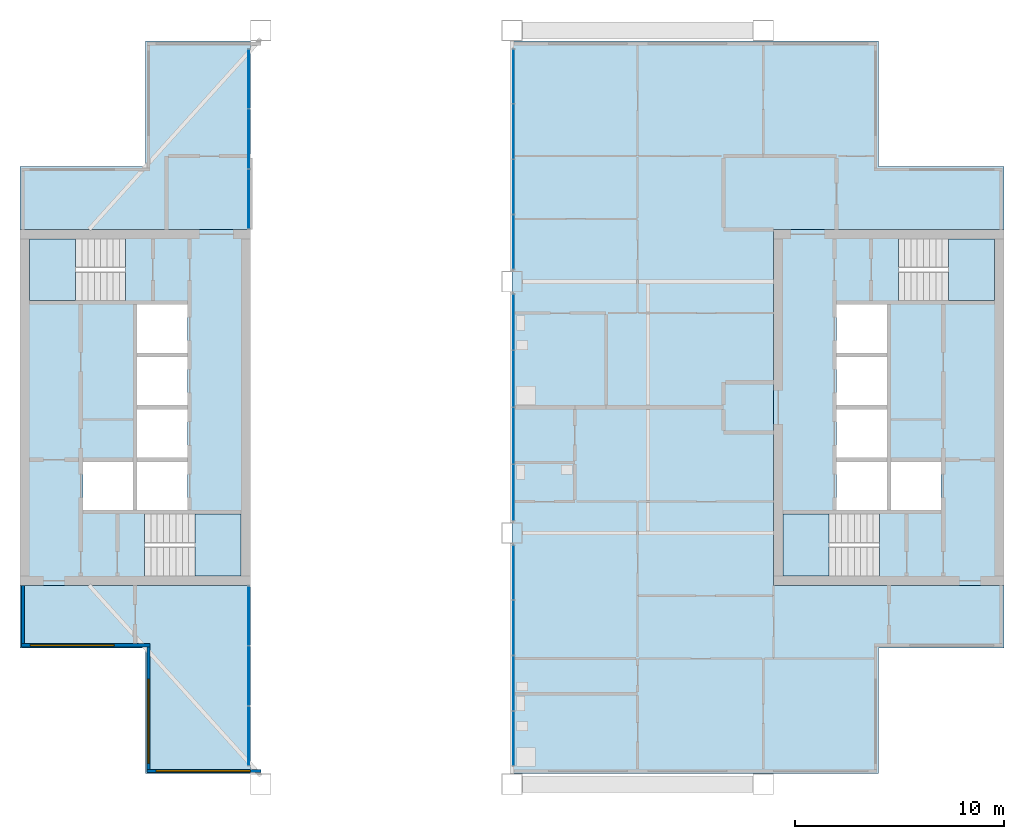
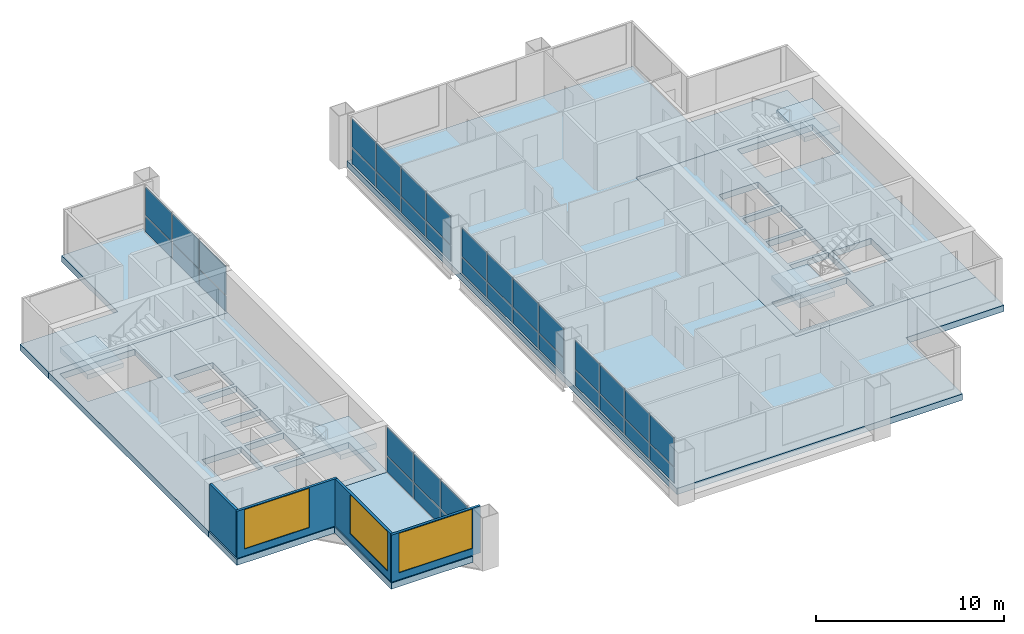
# One storey, part 6 of 12: 36 plates, 9 slabs, 4 walls, 3 windows, 3 openings, 9 elements without a shape of their own.
"""IFC4 building model written with IfcOpenShell, lengths in metres."""

import ifcopenshell
import ifcopenshell.guid

model = None  # the IFC model being written
_history = None  # IfcOwnerHistory: only IFC2X3 demands one
_inside = {}  # id of a spatial element -> (the spatial element, [elements in it])
_under = {}  # id of a project, library or spatial element -> (it, [spatial elements below it])
_declared = {}  # id of a project -> (the project, [libraries it declares])
_typed = {}  # id of a type object -> (the type object, [elements of that type])
_made_of = {}  # id of a material, layer set ... -> (it, [elements and type objects made of it])


def new_model(schema):
    """Start an empty IFC model of exactly this schema.

    Asked for "IFC4X3", IfcOpenShell would pick the latest addendum, in which some entities
    have other attributes; the version numbers below select the first issue.
    IFC2X3 requires an IfcOwnerHistory on every rooted entity: one is made here for all.
    """
    global model, _history
    if schema == "IFC4X3":
        model = ifcopenshell.file(schema_version=(4, 3, 0, 0))
    else:
        model = ifcopenshell.file(schema=schema)
    _inside.clear()
    _under.clear()
    _declared.clear()
    _typed.clear()
    _made_of.clear()
    _history = None
    if model.schema == "IFC2X3":
        org = make("IfcOrganization", Name="unknown")
        user = make(
            "IfcPersonAndOrganization",
            ThePerson=make("IfcPerson", FamilyName="unknown"),
            TheOrganization=org,
        )
        app = make(
            "IfcApplication",
            ApplicationDeveloper=org,
            Version="unknown",
            ApplicationFullName="unknown",
            ApplicationIdentifier="unknown",
        )
        _history = make(
            "IfcOwnerHistory",
            OwningUser=user,
            OwningApplication=app,
            ChangeAction="ADDED",
            CreationDate=0,
        )
    return model


def make(cls, **values):
    """One entity of the class cls with the attributes given. An attribute that is None is left unset."""
    return model.create_entity(
        cls, **{name: value for name, value in values.items() if value is not None}
    )


def rooted(cls, **values):
    """An entity with a GlobalId (a new one), such as an element, a storey or a relation."""
    return make(cls, GlobalId=ifcopenshell.guid.new(), OwnerHistory=_history, **values)


def si_unit(unit_type, name, prefix=None):
    """IfcSIUnit, for example si_unit("LENGTHUNIT", "METRE", prefix="MILLI")."""
    return make("IfcSIUnit", UnitType=unit_type, Prefix=prefix, Name=name)


def assignment(units):
    """IfcUnitAssignment: the units of a project."""
    return None if units is None else make("IfcUnitAssignment", Units=units)


def point(xyz):
    """IfcCartesianPoint."""
    return None if xyz is None else make("IfcCartesianPoint", Coordinates=xyz)


def direction(xyz):
    """IfcDirection."""
    return None if xyz is None else make("IfcDirection", DirectionRatios=xyz)


def frame(location, z_axis=None, x_axis=None):
    """IfcAxis2Placement3D, a coordinate frame: its origin and axes. An axis left out is left unset."""
    return make(
        "IfcAxis2Placement3D",
        Location=point(location),
        Axis=direction(z_axis),
        RefDirection=direction(x_axis),
    )


def frame_2d(location, x_axis=None):
    """IfcAxis2Placement2D, a coordinate frame in the plane: its origin and x axis."""
    return make(
        "IfcAxis2Placement2D", Location=point(location), RefDirection=direction(x_axis)
    )


def origin():
    """The frame at (0, 0, 0) with its axes left unset."""
    return frame((0.0, 0.0, 0.0))


def origin_2d():
    """The frame at (0, 0) in the plane with its x axis left unset."""
    return frame_2d((0.0, 0.0))


def place(relative_to, where):
    """IfcLocalPlacement: puts the frame where relative to a parent placement (None: the world)."""
    return make(
        "IfcLocalPlacement", PlacementRelTo=relative_to, RelativePlacement=where
    )


def context(
    kind, dimensions, precision=None, world=None, true_north=None, identifier=None
):
    """IfcGeometricRepresentationContext, for example the 3D "Model" context."""
    return make(
        "IfcGeometricRepresentationContext",
        ContextIdentifier=identifier,
        ContextType=kind,
        CoordinateSpaceDimension=dimensions,
        Precision=precision,
        WorldCoordinateSystem=world,
        TrueNorth=true_north,
    )


def subcontext(parent, identifier, kind, view, scale=None):
    """IfcGeometricRepresentationSubContext, for example "Body" below "Model"."""
    return make(
        "IfcGeometricRepresentationSubContext",
        ContextIdentifier=identifier,
        ContextType=kind,
        ParentContext=parent,
        TargetScale=scale,
        TargetView=view,
    )


def project(units=None, contexts=None):
    """IfcProject with its units and contexts."""
    return rooted(
        "IfcProject",
        Name="project",
        RepresentationContexts=contexts,
        UnitsInContext=assignment(units),
    )


def spatial(cls, under=None, at=None, **own):
    """A site, building, storey or space (cls), placed at a placement, below another one or the project."""
    s = rooted(cls, ObjectPlacement=at, **own)
    if under is not None:
        _under.setdefault(under.id(), (under, []))[1].append(s)
    return s


def polyline(points):
    """IfcPolyline through the points."""
    return make("IfcPolyline", Points=[point(p) for p in points])


def profile(cls, at=None, kind="AREA", **sizes):
    """A parametric profile (cls). Its sizes go by their IFC names, for example OverallWidth=200.0."""
    return make(cls, ProfileType=kind, Position=at, **sizes)


def rectangle(**sizes):
    """IfcRectangleProfileDef."""
    return profile("IfcRectangleProfileDef", **sizes)


def outline(outer, holes=None, kind="AREA"):
    """IfcArbitraryClosedProfileDef: a profile drawn as a closed curve; with holes, ...WithVoids."""
    if holes is None:
        return make("IfcArbitraryClosedProfileDef", ProfileType=kind, OuterCurve=outer)
    return make(
        "IfcArbitraryProfileDefWithVoids",
        ProfileType=kind,
        OuterCurve=outer,
        InnerCurves=holes,
    )


def extrude(swept, where, along, depth):
    """IfcExtrudedAreaSolid: the profile swept, set in the frame where, extruded along a direction by depth."""
    return make(
        "IfcExtrudedAreaSolid",
        SweptArea=swept,
        Position=where,
        ExtrudedDirection=direction(along),
        Depth=depth,
    )


def shape(context_of_items, identifier, shape_type, items):
    """IfcShapeRepresentation: the items that make up one representation, for example the "Body"."""
    return make(
        "IfcShapeRepresentation",
        ContextOfItems=context_of_items,
        RepresentationIdentifier=identifier,
        RepresentationType=shape_type,
        Items=items,
    )


def material(Name=None, Category=None):
    """IfcMaterial."""
    return make("IfcMaterial", Name=Name, Category=Category)


def layer(
    of_material, thickness, ventilated=None, Name=None, Category=None, Priority=None
):
    """IfcMaterialLayer: one layer of a wall or slab, of a material (None: an air gap)."""
    return make(
        "IfcMaterialLayer",
        Material=of_material,
        LayerThickness=thickness,
        IsVentilated=ventilated,
        Name=Name,
        Category=Category,
        Priority=Priority,
    )


def layer_set(layers, Name=None):
    """IfcMaterialLayerSet."""
    return make("IfcMaterialLayerSet", MaterialLayers=layers, LayerSetName=Name)


def made_of(thing, what):
    """Note that an element or type object is made of a material, layer set ...; save() writes the relation."""
    if what is not None:
        _made_of.setdefault(what.id(), (what, []))[1].append(thing)
    return thing


def type_object(cls, material=None, **own):
    """A type object (cls), such as IfcWallType, which elements share."""
    return made_of(rooted(cls, **own), material)


def element(
    cls,
    number,
    at=None,
    inside=None,
    cuts=None,
    type_object=None,
    material=None,
    context=None,
    identifier="Body",
    shape_type=None,
    held_by="IfcProductDefinitionShape",
    body=None,
    shapes=None,
    **own,
):
    """One element of the class cls, such as IfcWall. Its Tag is "e" and its number.

    at: its placement. inside: the storey or other place that contains it. cuts: it is an
    opening in that element (IfcRelVoidsElement). A single representation is given by context,
    identifier, shape_type and body (its items); several are given by shapes. held_by: the class
    of the entity that holds the representations. save() writes the other relations.
    """
    e = rooted(cls, Tag="e%d" % number, ObjectPlacement=at, **own)
    if body is not None:
        shapes = [shape(context, identifier, shape_type, body)]
    if shapes is not None:
        e.Representation = make(held_by, Representations=shapes)
    if inside is not None:
        _inside.setdefault(inside.id(), (inside, []))[1].append(e)
    if cuts is not None:
        rooted(
            "IfcRelVoidsElement", RelatingBuildingElement=cuts, RelatedOpeningElement=e
        )
    if type_object is not None:
        _typed.setdefault(type_object.id(), (type_object, []))[1].append(e)
    return made_of(e, material)


def fill(opening, filler):
    """IfcRelFillsElement: the door or window that sits in an opening."""
    return rooted(
        "IfcRelFillsElement",
        RelatingOpeningElement=opening,
        RelatedBuildingElement=filler,
    )


def aggregate(whole, parts):
    """IfcRelAggregates: a whole, such as a stair, and the parts it consists of."""
    return rooted("IfcRelAggregates", RelatingObject=whole, RelatedObjects=parts)


def save(model, path):
    """Write the relations noted so far, then the file.

    IfcRelAggregates (storeys below a building ...), IfcRelContainedInSpatialStructure (elements
    in a storey), IfcRelDefinesByType, IfcRelAssociatesMaterial and IfcRelDeclares: one each for
    every whole, place, type object, material and project.
    """
    for whole, parts in _under.values():
        aggregate(whole, parts)
    for where, things in _inside.values():
        rooted(
            "IfcRelContainedInSpatialStructure",
            RelatedElements=things,
            RelatingStructure=where,
        )
    for kind, things in _typed.values():
        rooted("IfcRelDefinesByType", RelatedObjects=things, RelatingType=kind)
    for what, things in _made_of.values():
        rooted("IfcRelAssociatesMaterial", RelatedObjects=things, RelatingMaterial=what)
    for by, libraries in _declared.values():
        rooted("IfcRelDeclares", RelatingContext=by, RelatedDefinitions=libraries)
    model.write(path)


model = new_model("IFC4")

# Units and contexts
model_context = context("Model", 3, precision=1e-05, world=origin(), true_north=direction((0.0, 1.0)))
body_context = subcontext(model_context, "Body", "Model", "MODEL_VIEW")
ifc_project = project(units=[si_unit("LENGTHUNIT", "METRE"), si_unit("AREAUNIT", "SQUARE_METRE"), si_unit("VOLUMEUNIT", "CUBIC_METRE"), si_unit("PLANEANGLEUNIT", "RADIAN"), si_unit("MASSUNIT", "GRAM", prefix="KILO")], contexts=[model_context])

# Site, building, storey
site_placement = place(None, origin())
site = spatial("IfcSite", under=ifc_project, at=site_placement, CompositionType="ELEMENT")
building_placement = place(site_placement, origin())
building = spatial("IfcBuilding", under=site, at=building_placement, Name="Kitamizu Gate Tower and Museum", CompositionType="ELEMENT")
storey_placement = place(building_placement, frame((0.0, 0.0, 255.89990234375)))
storey = spatial("IfcBuildingStorey", under=building, at=storey_placement, Name="L69", CompositionType="ELEMENT", Elevation=255.89990234375)

# Slabs
ifc_material_1 = material(Name="Concrete Fc36", Category="concrete")
ifc_layer_1 = layer(ifc_material_1, 0.39990234375)
ifc_layer_set_1 = layer_set([ifc_layer_1], Name="Concrete Fc36")
slab_type_1 = type_object("IfcSlabType", Name="Core floor slab 400", PredefinedType="FLOOR", material=ifc_layer_set_1)
slab_1_placement = place(storey_placement, frame((0.0, 0.0, -0.39990234375)))
element("IfcSlab", 1, at=slab_1_placement, inside=storey, type_object=slab_type_1, Name="Core floor slab W", PredefinedType="FLOOR", context=body_context, shape_type="SweptSolid", body=[
    extrude(outline(polyline([(12.5, 21.5), (23.5, 21.5), (23.5, 38.5), (12.5, 38.5), (12.5, 21.5)]), holes=[polyline([(15.5, 25.10009765625), (17.89990234375, 25.10009765625), (17.89990234375, 27.39990234375), (15.5, 27.39990234375), (15.5, 25.10009765625)]), polyline([(18.10009765625, 25.10009765625), (20.5, 25.10009765625), (20.5, 27.39990234375), (18.10009765625, 27.39990234375), (18.10009765625, 25.10009765625)]), polyline([(18.10009765625, 27.60009765625), (20.5, 27.60009765625), (20.5, 29.89990234375), (18.10009765625, 29.89990234375), (18.10009765625, 27.60009765625)]), polyline([(18.10009765625, 30.10009765625), (20.5, 30.10009765625), (20.5, 32.39990234375), (18.10009765625, 32.39990234375), (18.10009765625, 30.10009765625)]), polyline([(18.10009765625, 32.60009765625), (20.5, 32.60009765625), (20.5, 34.89990234375), (18.10009765625, 34.89990234375), (18.10009765625, 32.60009765625)]), polyline([(18.45068359375, 21.949951171875), (23.050048828125, 21.949951171875), (23.050048828125, 24.89990234375), (18.45068359375, 24.89990234375), (18.45068359375, 21.949951171875)]), polyline([(12.949951171875, 35.10009765625), (17.54931640625, 35.10009765625), (17.54931640625, 38.050048828125), (12.949951171875, 38.050048828125), (12.949951171875, 35.10009765625)])]), origin(), (0.0, 0.0, 1.0), 0.39990234375),
])
slab_2_placement = place(storey_placement, frame((0.0, 0.0, -0.39990234375)))
element("IfcSlab", 2, at=slab_2_placement, inside=storey, type_object=slab_type_1, Name="Core floor slab E", PredefinedType="FLOOR", context=body_context, shape_type="SweptSolid", body=[
    extrude(outline(polyline([(48.5, 21.5), (59.5, 21.5), (59.5, 38.5), (48.5, 38.5), (48.5, 21.5)]), holes=[polyline([(54.10009765625, 25.10009765625), (56.5, 25.10009765625), (56.5, 27.39990234375), (54.10009765625, 27.39990234375), (54.10009765625, 25.10009765625)]), polyline([(51.5, 25.10009765625), (53.89990234375, 25.10009765625), (53.89990234375, 27.39990234375), (51.5, 27.39990234375), (51.5, 25.10009765625)]), polyline([(51.5, 27.60009765625), (53.89990234375, 27.60009765625), (53.89990234375, 29.89990234375), (51.5, 29.89990234375), (51.5, 27.60009765625)]), polyline([(51.5, 30.10009765625), (53.89990234375, 30.10009765625), (53.89990234375, 32.39990234375), (51.5, 32.39990234375), (51.5, 30.10009765625)]), polyline([(51.5, 32.60009765625), (53.89990234375, 32.60009765625), (53.89990234375, 34.89990234375), (51.5, 34.89990234375), (51.5, 32.60009765625)]), polyline([(48.949951171875, 21.949951171875), (53.54931640625, 21.949951171875), (53.54931640625, 24.89990234375), (48.949951171875, 24.89990234375), (48.949951171875, 21.949951171875)]), polyline([(54.45068359375, 35.10009765625), (59.050048828125, 35.10009765625), (59.050048828125, 38.050048828125), (54.45068359375, 38.050048828125), (54.45068359375, 35.10009765625)])]), origin(), (0.0, 0.0, 1.0), 0.39990234375),
])

# Curtain wall, plates
ifc_material_2 = material(Name="Bronze anodised aluminium frame, tinted triple glazing", Category="aluminium")
curtain_wall_type = type_object("IfcCurtainWallType", Name="CURTAIN WALL TYPE C SKY AMENITY", PredefinedType="NOTDEFINED", material=ifc_material_2)
curtain_wall_1_placement = place(storey_placement, origin())
curtain_wall_1 = element("IfcCurtainWall", 3, at=curtain_wall_1_placement, inside=storey, type_object=curtain_wall_type, Name="Curtain wall CW-C portal W L69", PredefinedType="NOTDEFINED")
ifc_material_3 = material(Name="Tinted insulating glass", Category="glass")
ifc_layer_2 = layer(ifc_material_3, 0.031982421875)
ifc_layer_set_2 = layer_set([ifc_layer_2], Name="Tinted insulating glass")
plate_type = type_object("IfcPlateType", Name="GLASS PANEL 32 TYPE C", PredefinedType="CURTAIN_PANEL", material=ifc_layer_set_2)
plate_1_placement = place(storey_placement, frame((23.425048828125, 14.306640625, 0.06005859375), z_axis=(0.0, 0.0, 1.0), x_axis=(0.0, 1.0, 0.0)))
plate_1 = element("IfcPlate", 4, at=plate_1_placement, type_object=plate_type, Name="CW-C panel 1.1", PredefinedType="CURTAIN_PANEL", context=body_context, shape_type="SweptSolid", body=[
    extrude(rectangle(XDim=2.793212890625, YDim=0.031982421875, at=origin_2d()), origin(), (0.0, 0.0, 1.0), 1.010009765625),
])
plate_2_placement = place(storey_placement, frame((23.425048828125, 14.306640625, 1.1298828125), z_axis=(0.0, 0.0, 1.0), x_axis=(0.0, 1.0, 0.0)))
plate_2 = element("IfcPlate", 5, at=plate_2_placement, type_object=plate_type, Name="CW-C panel 1.2", PredefinedType="CURTAIN_PANEL", context=body_context, shape_type="SweptSolid", body=[
    extrude(rectangle(XDim=2.793212890625, YDim=0.031982421875, at=origin_2d()), origin(), (0.0, 0.0, 1.0), 1.860107421875),
])
plate_3_placement = place(storey_placement, frame((23.425048828125, 17.175048828125, 0.06005859375), z_axis=(0.0, 0.0, 1.0), x_axis=(0.0, 1.0, 0.0)))
plate_3 = element("IfcPlate", 6, at=plate_3_placement, type_object=plate_type, Name="CW-C panel 2.1", PredefinedType="CURTAIN_PANEL", context=body_context, shape_type="SweptSolid", body=[
    extrude(rectangle(XDim=2.8232421875, YDim=0.031982421875, at=origin_2d()), origin(), (0.0, 0.0, 1.0), 1.010009765625),
])
plate_4_placement = place(storey_placement, frame((23.425048828125, 17.175048828125, 1.1298828125), z_axis=(0.0, 0.0, 1.0), x_axis=(0.0, 1.0, 0.0)))
plate_4 = element("IfcPlate", 7, at=plate_4_placement, type_object=plate_type, Name="CW-C panel 2.2", PredefinedType="CURTAIN_PANEL", context=body_context, shape_type="SweptSolid", body=[
    extrude(rectangle(XDim=2.8232421875, YDim=0.031982421875, at=origin_2d()), origin(), (0.0, 0.0, 1.0), 1.860107421875),
])
plate_5_placement = place(storey_placement, frame((23.425048828125, 20.043212890625, 0.06005859375), z_axis=(0.0, 0.0, 1.0), x_axis=(0.0, 1.0, 0.0)))
plate_5 = element("IfcPlate", 8, at=plate_5_placement, type_object=plate_type, Name="CW-C panel 3.1", PredefinedType="CURTAIN_PANEL", context=body_context, shape_type="SweptSolid", body=[
    extrude(rectangle(XDim=2.793212890625, YDim=0.031982421875, at=origin_2d()), origin(), (0.0, 0.0, 1.0), 1.010009765625),
])
plate_6_placement = place(storey_placement, frame((23.425048828125, 20.043212890625, 1.1298828125), z_axis=(0.0, 0.0, 1.0), x_axis=(0.0, 1.0, 0.0)))
plate_6 = element("IfcPlate", 9, at=plate_6_placement, type_object=plate_type, Name="CW-C panel 3.2", PredefinedType="CURTAIN_PANEL", context=body_context, shape_type="SweptSolid", body=[
    extrude(rectangle(XDim=2.793212890625, YDim=0.031982421875, at=origin_2d()), origin(), (0.0, 0.0, 1.0), 1.860107421875),
])
aggregate(curtain_wall_1, [plate_1, plate_2, plate_3, plate_4, plate_5, plate_6])

curtain_wall_2_placement = place(storey_placement, origin())
curtain_wall_2 = element("IfcCurtainWall", 10, at=curtain_wall_2_placement, inside=storey, type_object=curtain_wall_type, Name="Curtain wall CW-C portal W L69", PredefinedType="NOTDEFINED")
plate_7_placement = place(storey_placement, frame((23.425048828125, 39.956787109375, 0.06005859375), z_axis=(0.0, 0.0, 1.0), x_axis=(0.0, 1.0, 0.0)))
plate_7 = element("IfcPlate", 11, at=plate_7_placement, type_object=plate_type, Name="CW-C panel 1.1", PredefinedType="CURTAIN_PANEL", context=body_context, shape_type="SweptSolid", body=[
    extrude(rectangle(XDim=2.793212890625, YDim=0.031982421875, at=origin_2d()), origin(), (0.0, 0.0, 1.0), 1.010009765625),
])
plate_8_placement = place(storey_placement, frame((23.425048828125, 39.956787109375, 1.1298828125), z_axis=(0.0, 0.0, 1.0), x_axis=(0.0, 1.0, 0.0)))
plate_8 = element("IfcPlate", 12, at=plate_8_placement, type_object=plate_type, Name="CW-C panel 1.2", PredefinedType="CURTAIN_PANEL", context=body_context, shape_type="SweptSolid", body=[
    extrude(rectangle(XDim=2.793212890625, YDim=0.031982421875, at=origin_2d()), origin(), (0.0, 0.0, 1.0), 1.860107421875),
])
plate_9_placement = place(storey_placement, frame((23.425048828125, 42.824951171875, 0.06005859375), z_axis=(0.0, 0.0, 1.0), x_axis=(0.0, 1.0, 0.0)))
plate_9 = element("IfcPlate", 13, at=plate_9_placement, type_object=plate_type, Name="CW-C panel 2.1", PredefinedType="CURTAIN_PANEL", context=body_context, shape_type="SweptSolid", body=[
    extrude(rectangle(XDim=2.8232421875, YDim=0.031982421875, at=origin_2d()), origin(), (0.0, 0.0, 1.0), 1.010009765625),
])
plate_10_placement = place(storey_placement, frame((23.425048828125, 42.824951171875, 1.1298828125), z_axis=(0.0, 0.0, 1.0), x_axis=(0.0, 1.0, 0.0)))
plate_10 = element("IfcPlate", 14, at=plate_10_placement, type_object=plate_type, Name="CW-C panel 2.2", PredefinedType="CURTAIN_PANEL", context=body_context, shape_type="SweptSolid", body=[
    extrude(rectangle(XDim=2.8232421875, YDim=0.031982421875, at=origin_2d()), origin(), (0.0, 0.0, 1.0), 1.860107421875),
])
plate_11_placement = place(storey_placement, frame((23.425048828125, 45.693359375, 0.06005859375), z_axis=(0.0, 0.0, 1.0), x_axis=(0.0, 1.0, 0.0)))
plate_11 = element("IfcPlate", 15, at=plate_11_placement, type_object=plate_type, Name="CW-C panel 3.1", PredefinedType="CURTAIN_PANEL", context=body_context, shape_type="SweptSolid", body=[
    extrude(rectangle(XDim=2.793212890625, YDim=0.031982421875, at=origin_2d()), origin(), (0.0, 0.0, 1.0), 1.010009765625),
])
plate_12_placement = place(storey_placement, frame((23.425048828125, 45.693359375, 1.1298828125), z_axis=(0.0, 0.0, 1.0), x_axis=(0.0, 1.0, 0.0)))
plate_12 = element("IfcPlate", 16, at=plate_12_placement, type_object=plate_type, Name="CW-C panel 3.2", PredefinedType="CURTAIN_PANEL", context=body_context, shape_type="SweptSolid", body=[
    extrude(rectangle(XDim=2.793212890625, YDim=0.031982421875, at=origin_2d()), origin(), (0.0, 0.0, 1.0), 1.860107421875),
])
aggregate(curtain_wall_2, [plate_7, plate_8, plate_9, plate_10, plate_11, plate_12])

curtain_wall_3_placement = place(storey_placement, origin())
curtain_wall_3 = element("IfcCurtainWall", 17, at=curtain_wall_3_placement, inside=storey, type_object=curtain_wall_type, Name="Curtain wall CW-C portal E L69", PredefinedType="NOTDEFINED")
plate_13_placement = place(storey_placement, frame((36.074951171875, 14.189453125, 0.06005859375), z_axis=(0.0, 0.0, 1.0), x_axis=(0.0, 1.0, 0.0)))
plate_13 = element("IfcPlate", 18, at=plate_13_placement, type_object=plate_type, Name="CW-C panel 1.1", PredefinedType="CURTAIN_PANEL", context=body_context, shape_type="SweptSolid", body=[
    extrude(rectangle(XDim=2.558837890625, YDim=0.031982421875, at=origin_2d()), origin(), (0.0, 0.0, 1.0), 1.010009765625),
])
plate_14_placement = place(storey_placement, frame((36.074951171875, 14.189453125, 1.1298828125), z_axis=(0.0, 0.0, 1.0), x_axis=(0.0, 1.0, 0.0)))
plate_14 = element("IfcPlate", 19, at=plate_14_placement, type_object=plate_type, Name="CW-C panel 1.2", PredefinedType="CURTAIN_PANEL", context=body_context, shape_type="SweptSolid", body=[
    extrude(rectangle(XDim=2.558837890625, YDim=0.031982421875, at=origin_2d()), origin(), (0.0, 0.0, 1.0), 1.860107421875),
])
plate_15_placement = place(storey_placement, frame((36.074951171875, 16.8232421875, 0.06005859375), z_axis=(0.0, 0.0, 1.0), x_axis=(0.0, 1.0, 0.0)))
plate_15 = element("IfcPlate", 20, at=plate_15_placement, type_object=plate_type, Name="CW-C panel 2.1", PredefinedType="CURTAIN_PANEL", context=body_context, shape_type="SweptSolid", body=[
    extrude(rectangle(XDim=2.5888671875, YDim=0.031982421875, at=origin_2d()), origin(), (0.0, 0.0, 1.0), 1.010009765625),
])
plate_16_placement = place(storey_placement, frame((36.074951171875, 16.8232421875, 1.1298828125), z_axis=(0.0, 0.0, 1.0), x_axis=(0.0, 1.0, 0.0)))
plate_16 = element("IfcPlate", 21, at=plate_16_placement, type_object=plate_type, Name="CW-C panel 2.2", PredefinedType="CURTAIN_PANEL", context=body_context, shape_type="SweptSolid", body=[
    extrude(rectangle(XDim=2.5888671875, YDim=0.031982421875, at=origin_2d()), origin(), (0.0, 0.0, 1.0), 1.860107421875),
])
plate_17_placement = place(storey_placement, frame((36.074951171875, 19.471923828125, 0.06005859375), z_axis=(0.0, 0.0, 1.0), x_axis=(0.0, 1.0, 0.0)))
plate_17 = element("IfcPlate", 22, at=plate_17_placement, type_object=plate_type, Name="CW-C panel 3.1", PredefinedType="CURTAIN_PANEL", context=body_context, shape_type="SweptSolid", body=[
    extrude(rectangle(XDim=2.5888671875, YDim=0.031982421875, at=origin_2d()), origin(), (0.0, 0.0, 1.0), 1.010009765625),
])
plate_18_placement = place(storey_placement, frame((36.074951171875, 19.471923828125, 1.1298828125), z_axis=(0.0, 0.0, 1.0), x_axis=(0.0, 1.0, 0.0)))
plate_18 = element("IfcPlate", 23, at=plate_18_placement, type_object=plate_type, Name="CW-C panel 3.2", PredefinedType="CURTAIN_PANEL", context=body_context, shape_type="SweptSolid", body=[
    extrude(rectangle(XDim=2.5888671875, YDim=0.031982421875, at=origin_2d()), origin(), (0.0, 0.0, 1.0), 1.860107421875),
])
plate_19_placement = place(storey_placement, frame((36.074951171875, 22.105712890625, 0.06005859375), z_axis=(0.0, 0.0, 1.0), x_axis=(0.0, 1.0, 0.0)))
plate_19 = element("IfcPlate", 24, at=plate_19_placement, type_object=plate_type, Name="CW-C panel 4.1", PredefinedType="CURTAIN_PANEL", context=body_context, shape_type="SweptSolid", body=[
    extrude(rectangle(XDim=2.558837890625, YDim=0.031982421875, at=origin_2d()), origin(), (0.0, 0.0, 1.0), 1.010009765625),
])
plate_20_placement = place(storey_placement, frame((36.074951171875, 22.105712890625, 1.1298828125), z_axis=(0.0, 0.0, 1.0), x_axis=(0.0, 1.0, 0.0)))
plate_20 = element("IfcPlate", 25, at=plate_20_placement, type_object=plate_type, Name="CW-C panel 4.2", PredefinedType="CURTAIN_PANEL", context=body_context, shape_type="SweptSolid", body=[
    extrude(rectangle(XDim=2.558837890625, YDim=0.031982421875, at=origin_2d()), origin(), (0.0, 0.0, 1.0), 1.860107421875),
])
aggregate(curtain_wall_3, [plate_13, plate_14, plate_15, plate_16, plate_17, plate_18, plate_19, plate_20])

curtain_wall_4_placement = place(storey_placement, origin())
curtain_wall_4 = element("IfcCurtainWall", 26, at=curtain_wall_4_placement, inside=storey, type_object=curtain_wall_type, Name="Curtain wall CW-C portal E L69", PredefinedType="NOTDEFINED")
plate_21_placement = place(storey_placement, frame((36.074951171875, 25.93115234375, 0.06005859375), z_axis=(0.0, 0.0, 1.0), x_axis=(0.0, 1.0, 0.0)))
plate_21 = element("IfcPlate", 27, at=plate_21_placement, type_object=plate_type, Name="CW-C panel 1.1", PredefinedType="CURTAIN_PANEL", context=body_context, shape_type="SweptSolid", body=[
    extrude(rectangle(XDim=2.632568359375, YDim=0.031982421875, at=origin_2d()), origin(), (0.0, 0.0, 1.0), 1.010009765625),
])
plate_22_placement = place(storey_placement, frame((36.074951171875, 25.93115234375, 1.1298828125), z_axis=(0.0, 0.0, 1.0), x_axis=(0.0, 1.0, 0.0)))
plate_22 = element("IfcPlate", 28, at=plate_22_placement, type_object=plate_type, Name="CW-C panel 1.2", PredefinedType="CURTAIN_PANEL", context=body_context, shape_type="SweptSolid", body=[
    extrude(rectangle(XDim=2.632568359375, YDim=0.031982421875, at=origin_2d()), origin(), (0.0, 0.0, 1.0), 1.860107421875),
])
plate_23_placement = place(storey_placement, frame((36.074951171875, 28.638671875, 0.06005859375), z_axis=(0.0, 0.0, 1.0), x_axis=(0.0, 1.0, 0.0)))
plate_23 = element("IfcPlate", 29, at=plate_23_placement, type_object=plate_type, Name="CW-C panel 2.1", PredefinedType="CURTAIN_PANEL", context=body_context, shape_type="SweptSolid", body=[
    extrude(rectangle(XDim=2.66259765625, YDim=0.031982421875, at=origin_2d()), origin(), (0.0, 0.0, 1.0), 1.010009765625),
])
plate_24_placement = place(storey_placement, frame((36.074951171875, 28.638671875, 1.1298828125), z_axis=(0.0, 0.0, 1.0), x_axis=(0.0, 1.0, 0.0)))
plate_24 = element("IfcPlate", 30, at=plate_24_placement, type_object=plate_type, Name="CW-C panel 2.2", PredefinedType="CURTAIN_PANEL", context=body_context, shape_type="SweptSolid", body=[
    extrude(rectangle(XDim=2.66259765625, YDim=0.031982421875, at=origin_2d()), origin(), (0.0, 0.0, 1.0), 1.860107421875),
])
plate_25_placement = place(storey_placement, frame((36.074951171875, 31.361328125, 0.06005859375), z_axis=(0.0, 0.0, 1.0), x_axis=(0.0, 1.0, 0.0)))
plate_25 = element("IfcPlate", 31, at=plate_25_placement, type_object=plate_type, Name="CW-C panel 3.1", PredefinedType="CURTAIN_PANEL", context=body_context, shape_type="SweptSolid", body=[
    extrude(rectangle(XDim=2.66259765625, YDim=0.031982421875, at=origin_2d()), origin(), (0.0, 0.0, 1.0), 1.010009765625),
])
plate_26_placement = place(storey_placement, frame((36.074951171875, 31.361328125, 1.1298828125), z_axis=(0.0, 0.0, 1.0), x_axis=(0.0, 1.0, 0.0)))
plate_26 = element("IfcPlate", 32, at=plate_26_placement, type_object=plate_type, Name="CW-C panel 3.2", PredefinedType="CURTAIN_PANEL", context=body_context, shape_type="SweptSolid", body=[
    extrude(rectangle(XDim=2.66259765625, YDim=0.031982421875, at=origin_2d()), origin(), (0.0, 0.0, 1.0), 1.860107421875),
])
plate_27_placement = place(storey_placement, frame((36.074951171875, 34.06884765625, 0.06005859375), z_axis=(0.0, 0.0, 1.0), x_axis=(0.0, 1.0, 0.0)))
plate_27 = element("IfcPlate", 33, at=plate_27_placement, type_object=plate_type, Name="CW-C panel 4.1", PredefinedType="CURTAIN_PANEL", context=body_context, shape_type="SweptSolid", body=[
    extrude(rectangle(XDim=2.632568359375, YDim=0.031982421875, at=origin_2d()), origin(), (0.0, 0.0, 1.0), 1.010009765625),
])
plate_28_placement = place(storey_placement, frame((36.074951171875, 34.06884765625, 1.1298828125), z_axis=(0.0, 0.0, 1.0), x_axis=(0.0, 1.0, 0.0)))
plate_28 = element("IfcPlate", 34, at=plate_28_placement, type_object=plate_type, Name="CW-C panel 4.2", PredefinedType="CURTAIN_PANEL", context=body_context, shape_type="SweptSolid", body=[
    extrude(rectangle(XDim=2.632568359375, YDim=0.031982421875, at=origin_2d()), origin(), (0.0, 0.0, 1.0), 1.860107421875),
])
aggregate(curtain_wall_4, [plate_21, plate_22, plate_23, plate_24, plate_25, plate_26, plate_27, plate_28])

curtain_wall_5_placement = place(storey_placement, origin())
curtain_wall_5 = element("IfcCurtainWall", 35, at=curtain_wall_5_placement, inside=storey, type_object=curtain_wall_type, Name="Curtain wall CW-C portal E L69", PredefinedType="NOTDEFINED")
plate_29_placement = place(storey_placement, frame((36.074951171875, 37.894287109375, 0.06005859375), z_axis=(0.0, 0.0, 1.0), x_axis=(0.0, 1.0, 0.0)))
plate_29 = element("IfcPlate", 36, at=plate_29_placement, type_object=plate_type, Name="CW-C panel 1.1", PredefinedType="CURTAIN_PANEL", context=body_context, shape_type="SweptSolid", body=[
    extrude(rectangle(XDim=2.558837890625, YDim=0.031982421875, at=origin_2d()), origin(), (0.0, 0.0, 1.0), 1.010009765625),
])
plate_30_placement = place(storey_placement, frame((36.074951171875, 37.894287109375, 1.1298828125), z_axis=(0.0, 0.0, 1.0), x_axis=(0.0, 1.0, 0.0)))
plate_30 = element("IfcPlate", 37, at=plate_30_placement, type_object=plate_type, Name="CW-C panel 1.2", PredefinedType="CURTAIN_PANEL", context=body_context, shape_type="SweptSolid", body=[
    extrude(rectangle(XDim=2.558837890625, YDim=0.031982421875, at=origin_2d()), origin(), (0.0, 0.0, 1.0), 1.860107421875),
])
plate_31_placement = place(storey_placement, frame((36.074951171875, 40.528076171875, 0.06005859375), z_axis=(0.0, 0.0, 1.0), x_axis=(0.0, 1.0, 0.0)))
plate_31 = element("IfcPlate", 38, at=plate_31_placement, type_object=plate_type, Name="CW-C panel 2.1", PredefinedType="CURTAIN_PANEL", context=body_context, shape_type="SweptSolid", body=[
    extrude(rectangle(XDim=2.5888671875, YDim=0.031982421875, at=origin_2d()), origin(), (0.0, 0.0, 1.0), 1.010009765625),
])
plate_32_placement = place(storey_placement, frame((36.074951171875, 40.528076171875, 1.1298828125), z_axis=(0.0, 0.0, 1.0), x_axis=(0.0, 1.0, 0.0)))
plate_32 = element("IfcPlate", 39, at=plate_32_placement, type_object=plate_type, Name="CW-C panel 2.2", PredefinedType="CURTAIN_PANEL", context=body_context, shape_type="SweptSolid", body=[
    extrude(rectangle(XDim=2.5888671875, YDim=0.031982421875, at=origin_2d()), origin(), (0.0, 0.0, 1.0), 1.860107421875),
])
plate_33_placement = place(storey_placement, frame((36.074951171875, 43.1767578125, 0.06005859375), z_axis=(0.0, 0.0, 1.0), x_axis=(0.0, 1.0, 0.0)))
plate_33 = element("IfcPlate", 40, at=plate_33_placement, type_object=plate_type, Name="CW-C panel 3.1", PredefinedType="CURTAIN_PANEL", context=body_context, shape_type="SweptSolid", body=[
    extrude(rectangle(XDim=2.5888671875, YDim=0.031982421875, at=origin_2d()), origin(), (0.0, 0.0, 1.0), 1.010009765625),
])
plate_34_placement = place(storey_placement, frame((36.074951171875, 43.1767578125, 1.1298828125), z_axis=(0.0, 0.0, 1.0), x_axis=(0.0, 1.0, 0.0)))
plate_34 = element("IfcPlate", 41, at=plate_34_placement, type_object=plate_type, Name="CW-C panel 3.2", PredefinedType="CURTAIN_PANEL", context=body_context, shape_type="SweptSolid", body=[
    extrude(rectangle(XDim=2.5888671875, YDim=0.031982421875, at=origin_2d()), origin(), (0.0, 0.0, 1.0), 1.860107421875),
])
plate_35_placement = place(storey_placement, frame((36.074951171875, 45.810546875, 0.06005859375), z_axis=(0.0, 0.0, 1.0), x_axis=(0.0, 1.0, 0.0)))
plate_35 = element("IfcPlate", 42, at=plate_35_placement, type_object=plate_type, Name="CW-C panel 4.1", PredefinedType="CURTAIN_PANEL", context=body_context, shape_type="SweptSolid", body=[
    extrude(rectangle(XDim=2.558837890625, YDim=0.031982421875, at=origin_2d()), origin(), (0.0, 0.0, 1.0), 1.010009765625),
])
plate_36_placement = place(storey_placement, frame((36.074951171875, 45.810546875, 1.1298828125), z_axis=(0.0, 0.0, 1.0), x_axis=(0.0, 1.0, 0.0)))
plate_36 = element("IfcPlate", 43, at=plate_36_placement, type_object=plate_type, Name="CW-C panel 4.2", PredefinedType="CURTAIN_PANEL", context=body_context, shape_type="SweptSolid", body=[
    extrude(rectangle(XDim=2.558837890625, YDim=0.031982421875, at=origin_2d()), origin(), (0.0, 0.0, 1.0), 1.860107421875),
])
aggregate(curtain_wall_5, [plate_29, plate_30, plate_31, plate_32, plate_33, plate_34, plate_35, plate_36])

# Slabs
ifc_material_4 = material(Name="Concrete Fc36", Category="concrete")
ifc_layer_3 = layer(ifc_material_4, 0.39990234375)
ifc_layer_set_3 = layer_set([ifc_layer_3], Name="Concrete Fc36")
slab_type_2 = type_object("IfcSlabType", Name="Post tensioned flat slab 400", PredefinedType="FLOOR", material=ifc_layer_set_3)
slab_3_placement = place(storey_placement, frame((0.0, 0.0, -0.39990234375)))
element("IfcSlab", 44, at=slab_3_placement, inside=storey, type_object=slab_type_2, Name="Floor slab L69-1", PredefinedType="FLOOR", context=body_context, shape_type="SweptSolid", body=[
    extrude(outline(polyline([(12.5, 21.5), (23.5, 21.5), (23.5, 12.5), (18.5, 12.5), (18.5, 18.5), (12.5, 18.5), (12.5, 21.5)])), origin(), (0.0, 0.0, 1.0), 0.39990234375),
])
slab_4_placement = place(storey_placement, frame((0.0, 0.0, -0.39990234375)))
element("IfcSlab", 45, at=slab_4_placement, inside=storey, type_object=slab_type_2, Name="Floor slab L69-2", PredefinedType="FLOOR", context=body_context, shape_type="SweptSolid", body=[
    extrude(outline(polyline([(53.5, 47.5), (53.5, 41.5), (59.5, 41.5), (59.5, 38.5), (48.5, 38.5), (48.5, 21.5), (59.5, 21.5), (59.5, 18.5), (53.5, 18.5), (53.5, 12.5), (36.0, 12.5), (36.0, 47.5), (53.5, 47.5)])), origin(), (0.0, 0.0, 1.0), 0.39990234375),
])
slab_5_placement = place(storey_placement, frame((0.0, 0.0, -0.39990234375)))
element("IfcSlab", 46, at=slab_5_placement, inside=storey, type_object=slab_type_2, Name="Floor slab L69-3", PredefinedType="FLOOR", context=body_context, shape_type="SweptSolid", body=[
    extrude(outline(polyline([(12.5, 38.5), (12.5, 41.5), (18.5, 41.5), (18.5, 47.5), (23.5, 47.5), (23.5, 38.5), (12.5, 38.5)])), origin(), (0.0, 0.0, 1.0), 0.39990234375),
])

# Stair, slab
ifc_material_5 = material(Name="Concrete Fc42", Category="concrete")
stair_type = type_object("IfcStairType", Name="Exit stair 1375 wide 192 rise 300 going", PredefinedType="HALF_TURN_STAIR", material=ifc_material_5)
stair_1_placement = place(storey_placement, origin())
stair_1 = element("IfcStair", 47, at=stair_1_placement, inside=storey, type_object=stair_type, Name="Exit stair ST1", PredefinedType="HALF_TURN_STAIR")
ifc_material_6 = material(Name="Concrete Fc42", Category="concrete")
ifc_layer_4 = layer(ifc_material_6, 0.300048828125)
ifc_layer_set_4 = layer_set([ifc_layer_4], Name="Concrete Fc42")
slab_type_3 = type_object("IfcSlabType", Name="Stair landing 300", PredefinedType="LANDING", material=ifc_layer_set_4)
slab_6_placement = place(storey_placement, frame((0.0, 0.0, 1.425048828125)))
slab_6 = element("IfcSlab", 48, at=slab_6_placement, type_object=slab_type_3, Name="ST1 landing 1", PredefinedType="LANDING", context=body_context, shape_type="SweptSolid", body=[
    extrude(outline(polyline([(20.85009765625, 21.949951171875), (23.050048828125, 21.949951171875), (23.050048828125, 24.89990234375), (20.85009765625, 24.89990234375), (20.85009765625, 21.949951171875)])), origin(), (0.0, 0.0, 1.0), 0.300048828125),
])
aggregate(stair_1, [slab_6])

stair_2_placement = place(storey_placement, origin())
stair_2 = element("IfcStair", 49, at=stair_2_placement, inside=storey, type_object=stair_type, Name="Exit stair ST2", PredefinedType="HALF_TURN_STAIR")
slab_7_placement = place(storey_placement, frame((0.0, 0.0, 1.425048828125)))
slab_7 = element("IfcSlab", 50, at=slab_7_placement, type_object=slab_type_3, Name="ST2 landing 1", PredefinedType="LANDING", context=body_context, shape_type="SweptSolid", body=[
    extrude(outline(polyline([(12.949951171875, 35.10009765625), (15.14990234375, 35.10009765625), (15.14990234375, 38.050048828125), (12.949951171875, 38.050048828125), (12.949951171875, 35.10009765625)])), origin(), (0.0, 0.0, 1.0), 0.300048828125),
])
aggregate(stair_2, [slab_7])

stair_3_placement = place(storey_placement, origin())
stair_3 = element("IfcStair", 51, at=stair_3_placement, inside=storey, type_object=stair_type, Name="Exit stair ST3", PredefinedType="HALF_TURN_STAIR")
slab_8_placement = place(storey_placement, frame((0.0, 0.0, 1.425048828125)))
slab_8 = element("IfcSlab", 52, at=slab_8_placement, type_object=slab_type_3, Name="ST3 landing 1", PredefinedType="LANDING", context=body_context, shape_type="SweptSolid", body=[
    extrude(outline(polyline([(48.949951171875, 21.949951171875), (51.14990234375, 21.949951171875), (51.14990234375, 24.89990234375), (48.949951171875, 24.89990234375), (48.949951171875, 21.949951171875)])), origin(), (0.0, 0.0, 1.0), 0.300048828125),
])
aggregate(stair_3, [slab_8])

stair_4_placement = place(storey_placement, origin())
stair_4 = element("IfcStair", 53, at=stair_4_placement, inside=storey, type_object=stair_type, Name="Exit stair ST4", PredefinedType="HALF_TURN_STAIR")
slab_9_placement = place(storey_placement, frame((0.0, 0.0, 1.425048828125)))
slab_9 = element("IfcSlab", 54, at=slab_9_placement, type_object=slab_type_3, Name="ST4 landing 1", PredefinedType="LANDING", context=body_context, shape_type="SweptSolid", body=[
    extrude(outline(polyline([(56.85009765625, 35.10009765625), (59.050048828125, 35.10009765625), (59.050048828125, 38.050048828125), (56.85009765625, 38.050048828125), (56.85009765625, 35.10009765625)])), origin(), (0.0, 0.0, 1.0), 0.300048828125),
])
aggregate(stair_4, [slab_9])

# Wall, opening, window
ifc_material_7 = material(Name="Bronze anodised aluminium frame with insulated spandrel and tinted glass", Category="aluminium")
ifc_layer_5 = layer(ifc_material_7, 0.14990234375)
ifc_layer_set_5 = layer_set([ifc_layer_5], Name="Bronze anodised aluminium frame with insulated spandrel and tinted glass")
wall_type = type_object("IfcWallType", Name="WINDOW WALL 150 BRONZE FRAME EI 30", PredefinedType="ELEMENTEDWALL", material=ifc_layer_set_5)
wall_1_placement = place(storey_placement, frame((18.56005859375, 12.635009765625, 0.0), z_axis=(0.0, 0.0, 1.0), x_axis=(1.0, 0.0, 0.0)))
wall_1 = element("IfcWall", 55, at=wall_1_placement, inside=storey, type_object=wall_type, Name="Window wall south L69", PredefinedType="ELEMENTEDWALL", context=body_context, shape_type="SweptSolid", body=[
    extrude(rectangle(XDim=5.43994140625, YDim=0.14990234375, at=frame_2d((2.719970703125, 0.0))), origin(), (0.0, 0.0, 1.0), 3.050048828125),
])
opening_1_placement = place(wall_1_placement, frame((0.43994140625, 0.0, 0.449951171875)))
opening_1 = element("IfcOpeningElement", 56, at=opening_1_placement, cuts=wall_1, Name="Opening W15", PredefinedType="OPENING", context=body_context, shape_type="SweptSolid", body=[
    extrude(rectangle(XDim=4.5, YDim=2.550048828125, at=frame_2d((2.25, 1.27490234375))), frame((0.0, 0.0849609375, 0.0), z_axis=(0.0, -1.0, 0.0), x_axis=(1.0, 0.0, 0.0)), (0.0, 0.0, 1.0), 0.169921875),
])
ifc_material_8 = material(Name="Bronze anodised aluminium frame, tinted triple glazing", Category="aluminium")
window_type_1 = type_object("IfcWindowType", Name="WINDOW 4500 x 2550 SILL 450", PartitioningType="SINGLE_PANEL", PredefinedType="WINDOW", material=ifc_material_8)
window_1_placement = place(opening_1_placement, origin())
window_1 = element("IfcWindow", 57, at=window_1_placement, inside=storey, type_object=window_type_1, Name="Window W15 L69", OverallHeight=2.550048828125, OverallWidth=4.5, PartitioningType="SINGLE_PANEL", PredefinedType="WINDOW", context=body_context, shape_type="SweptSolid", body=[
    extrude(rectangle(XDim=4.5, YDim=2.550048828125, at=frame_2d((2.25, 1.27490234375))), frame((0.0, 0.030029296875, 0.0), z_axis=(0.0, -1.0, 0.0), x_axis=(1.0, 0.0, 0.0)), (0.0, 0.0, 1.0), 0.06005859375),
])
fill(opening_1, window_1)

# Wall
wall_2_placement = place(storey_placement, frame((12.635009765625, 18.7099609375, 0.0), z_axis=(0.0, 0.0, 1.0), x_axis=(0.0, 1.0, 0.0)))
element("IfcWall", 58, at=wall_2_placement, inside=storey, type_object=wall_type, Name="Window wall west L69", PredefinedType="ELEMENTEDWALL", context=body_context, shape_type="SweptSolid", body=[
    extrude(rectangle(XDim=2.7900390625, YDim=0.14990234375, at=frame_2d((1.39501953125, 0.0))), origin(), (0.0, 0.0, 1.0), 3.050048828125),
])

# Wall, opening, window
wall_3_placement = place(storey_placement, frame((12.56005859375, 18.635009765625, 0.0), z_axis=(0.0, 0.0, 1.0), x_axis=(1.0, 0.0, 0.0)))
wall_3 = element("IfcWall", 59, at=wall_3_placement, inside=storey, type_object=wall_type, Name="Window wall south L69", PredefinedType="ELEMENTEDWALL", context=body_context, shape_type="SweptSolid", body=[
    extrude(rectangle(XDim=6.14990234375, YDim=0.14990234375, at=frame_2d((3.074951171875, 0.0))), origin(), (0.0, 0.0, 1.0), 3.050048828125),
])
opening_2_placement = place(wall_3_placement, frame((0.43994140625, 0.0, 0.449951171875)))
opening_2 = element("IfcOpeningElement", 60, at=opening_2_placement, cuts=wall_3, Name="Opening W16", PredefinedType="OPENING", context=body_context, shape_type="SweptSolid", body=[
    extrude(rectangle(XDim=4.0, YDim=2.550048828125, at=frame_2d((2.0, 1.27490234375))), frame((0.0, 0.0849609375, 0.0), z_axis=(0.0, -1.0, 0.0), x_axis=(1.0, 0.0, 0.0)), (0.0, 0.0, 1.0), 0.169921875),
])
ifc_material_9 = material(Name="Bronze anodised aluminium frame, tinted triple glazing", Category="aluminium")
window_type_2 = type_object("IfcWindowType", Name="WINDOW 4000 x 2550 SILL 450", PartitioningType="SINGLE_PANEL", PredefinedType="WINDOW", material=ifc_material_9)
window_2_placement = place(opening_2_placement, origin())
window_2 = element("IfcWindow", 61, at=window_2_placement, inside=storey, type_object=window_type_2, Name="Window W16 L69", OverallHeight=2.550048828125, OverallWidth=4.0, PartitioningType="SINGLE_PANEL", PredefinedType="WINDOW", context=body_context, shape_type="SweptSolid", body=[
    extrude(rectangle(XDim=4.0, YDim=2.550048828125, at=frame_2d((2.0, 1.27490234375))), frame((0.0, 0.030029296875, 0.0), z_axis=(0.0, -1.0, 0.0), x_axis=(1.0, 0.0, 0.0)), (0.0, 0.0, 1.0), 0.06005859375),
])
fill(opening_2, window_2)

wall_4_placement = place(storey_placement, frame((18.635009765625, 12.7099609375, 0.0), z_axis=(0.0, 0.0, 1.0), x_axis=(0.0, 1.0, 0.0)))
wall_4 = element("IfcWall", 62, at=wall_4_placement, inside=storey, type_object=wall_type, Name="Window wall west L69", PredefinedType="ELEMENTEDWALL", context=body_context, shape_type="SweptSolid", body=[
    extrude(rectangle(XDim=5.85009765625, YDim=0.14990234375, at=frame_2d((2.925048828125, 0.0))), origin(), (0.0, 0.0, 1.0), 3.050048828125),
])
opening_3_placement = place(wall_4_placement, frame((0.2900390625, 0.0, 0.449951171875)))
opening_3 = element("IfcOpeningElement", 63, at=opening_3_placement, cuts=wall_4, Name="Opening W16", PredefinedType="OPENING", context=body_context, shape_type="SweptSolid", body=[
    extrude(rectangle(XDim=4.0, YDim=2.550048828125, at=frame_2d((2.0, 1.27490234375))), frame((0.0, 0.0849609375, 0.0), z_axis=(0.0, -1.0, 0.0), x_axis=(1.0, 0.0, 0.0)), (0.0, 0.0, 1.0), 0.169921875),
])
window_3_placement = place(opening_3_placement, origin())
window_3 = element("IfcWindow", 64, at=window_3_placement, inside=storey, type_object=window_type_2, Name="Window W16 L69", OverallHeight=2.550048828125, OverallWidth=4.0, PartitioningType="SINGLE_PANEL", PredefinedType="WINDOW", context=body_context, shape_type="SweptSolid", body=[
    extrude(rectangle(XDim=4.0, YDim=2.550048828125, at=frame_2d((2.0, 1.27490234375))), frame((0.0, 0.030029296875, 0.0), z_axis=(0.0, -1.0, 0.0), x_axis=(1.0, 0.0, 0.0)), (0.0, 0.0, 1.0), 0.06005859375),
])
fill(opening_3, window_3)

save(model, "model.ifc")
